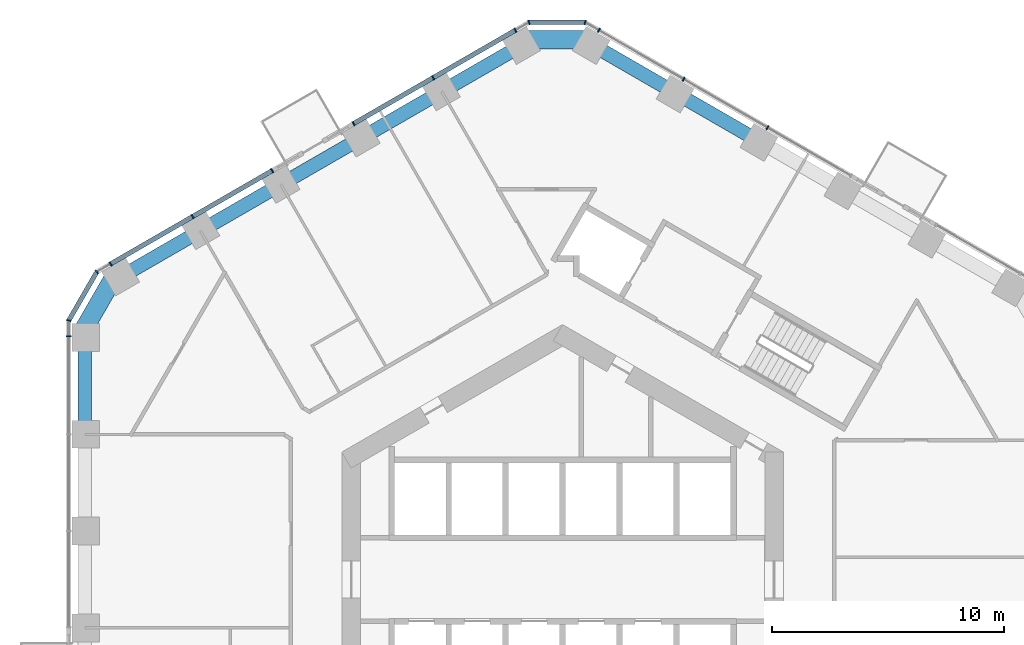
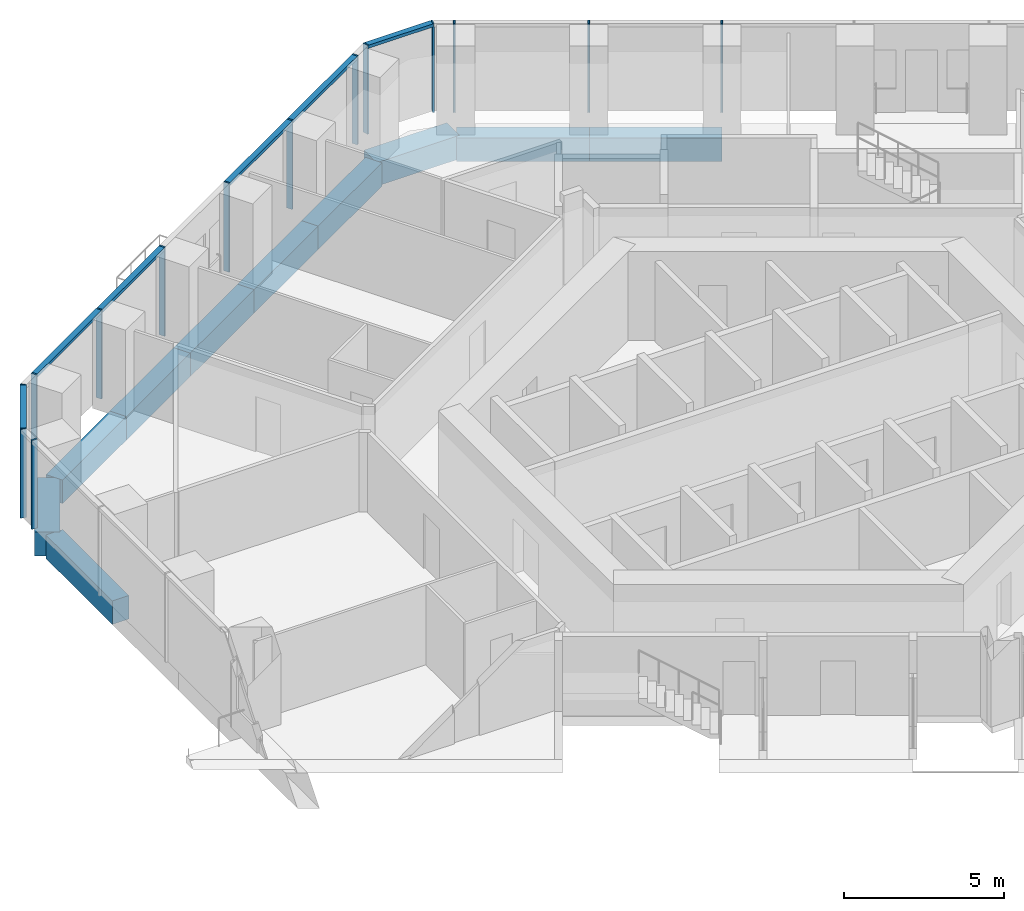
# One storey, part 5 of 19: 18 members, 10 beams, 6 elements without a shape of their own.
"""IFC4 building model written with IfcOpenShell, lengths in metres."""

from ifc_helpers import new_model, si_unit, direction, frame, origin, origin_2d, place, context, subcontext, project, spatial, rectangle, extrude, material, layer, layer_set, material_profile, profile_set, type_object, element, aggregate, save


model = new_model("IFC4")

# Units and contexts
model_context = context("Model", 3, precision=1e-05, world=origin(), true_north=direction((0.0, 1.0)))
body_context = subcontext(model_context, "Body", "Model", "MODEL_VIEW")
ifc_project = project(units=[si_unit("LENGTHUNIT", "METRE"), si_unit("AREAUNIT", "SQUARE_METRE"), si_unit("VOLUMEUNIT", "CUBIC_METRE"), si_unit("PLANEANGLEUNIT", "RADIAN"), si_unit("MASSUNIT", "GRAM", prefix="KILO")], contexts=[model_context])

# Site, building, storey
site_placement = place(None, origin())
site = spatial("IfcSite", under=ifc_project, at=site_placement, CompositionType="ELEMENT")
building_placement = place(site_placement, origin())
building = spatial("IfcBuilding", under=site, at=building_placement, Name="Ayvan Gate Tower", CompositionType="ELEMENT")
storey_placement = place(building_placement, frame((0.0, 0.0, 39.10009765625)))
storey = spatial("IfcBuildingStorey", under=building, at=storey_placement, Name="L09", CompositionType="ELEMENT", Elevation=39.10009765625)

# Beams
ifc_material_1 = material(Name="Concrete C40/50", Category="concrete")
ifc_material_profile_1 = material_profile(ifc_material_1, rectangle(XDim=0.800048828125, YDim=0.89990234375, at=origin_2d()), Name="RC 800x900")
ifc_profile_set_1 = profile_set([ifc_material_profile_1], Name="Concrete C40/50")
beam_type_1 = type_object("IfcBeamType", Name="Corner spandrel beam RC 800x900 C40/50", PredefinedType="BEAM", material=ifc_profile_set_1)
for number, where, z_axis, x_axis, name in (
    (1, (1.276611328125, 23.22509765625, -0.800048828125), (-1.0, 0.0, 0.0), (0.0, -1.0, 0.0), "SB-L09-12"),
    (2, (-19.251708984375, 13.10498046875, -0.800048828125), (-0.499990139034, -0.866031096941, 0.0), (0.866031096941, -0.499990139034, 0.0), "SB-L09-18"),
):
    element("IfcBeam", number, at=place(storey_placement, frame(where, z_axis=z_axis, x_axis=x_axis)), inside=storey, type_object=beam_type_1, Name=name, PredefinedType="BEAM", context=body_context, shape_type="SweptSolid", body=[
        extrude(rectangle(XDim=0.800048828125, YDim=0.89990234375, at=origin_2d()), origin(), (0.0, 0.0, 1.0), 3.0),
    ])
ifc_material_profile_2 = material_profile(ifc_material_1, rectangle(XDim=0.60009765625, YDim=0.89990234375, at=origin_2d()), Name="RC 600x900")
ifc_profile_set_2 = profile_set([ifc_material_profile_2], Name="Concrete C40/50")
beam_type_2 = type_object("IfcBeamType", Name="Spandrel beam RC 600x900 C40/50", PredefinedType="BEAM", material=ifc_profile_set_2)
for number, where, z_axis, x_axis, name in (
    (3, (8.479736328125, 18.84619140625, -0.800048828125), (-0.866027212972, 0.499996866383, 0.0), (-0.499996866383, -0.866027212972, 0.0), "SB-L09-10"),
    (4, (4.878173828125, 20.925537109375, -0.800048828125), (-0.866027212972, 0.499996866383, 0.0), (-0.499996866383, -0.866027212972, 0.0), "SB-L09-11"),
):
    element("IfcBeam", number, at=place(storey_placement, frame(where, z_axis=z_axis, x_axis=x_axis)), inside=storey, type_object=beam_type_2, Name=name, PredefinedType="BEAM", context=body_context, shape_type="SweptSolid", body=[
        extrude(rectangle(XDim=0.60009765625, YDim=0.89990234375, at=origin_2d()), origin(), (0.0, 0.0, 1.0), 4.15869140625),
    ])
for number, where, z_axis, x_axis, name in (
    (5, (-1.723388671875, 23.0048828125, -0.800048828125), (-0.866028199139, -0.499995158272, 0.0), (0.499995158272, -0.866028199139, 0.0), "SB-L09-13"),
    (6, (-5.19091796875, 21.0029296875, -0.800048828125), (-0.866028199139, -0.499995158272, 0.0), (0.499995158272, -0.866028199139, 0.0), "SB-L09-14"),
    (7, (-8.658447265625, 19.0009765625, -0.800048828125), (-0.866028199139, -0.499995158272, 0.0), (0.499995158272, -0.866028199139, 0.0), "SB-L09-15"),
):
    element("IfcBeam", number, at=place(storey_placement, frame(where, z_axis=z_axis, x_axis=x_axis)), inside=storey, type_object=beam_type_2, Name=name, PredefinedType="BEAM", context=body_context, shape_type="SweptSolid", body=[
        extrude(rectangle(XDim=0.60009765625, YDim=0.89990234375, at=origin_2d()), origin(), (0.0, 0.0, 1.0), 4.00390625),
    ])
beam_1_placement = place(storey_placement, frame((-12.1259765625, 16.9990234375, -0.800048828125), z_axis=(-0.866043441391, -0.499968756647, 0.0), x_axis=(0.499968756647, -0.866043441391, 0.0)))
element("IfcBeam", 8, at=beam_1_placement, inside=storey, type_object=beam_type_2, Name="SB-L09-16", PredefinedType="BEAM", context=body_context, shape_type="SweptSolid", body=[
    extrude(rectangle(XDim=0.60009765625, YDim=0.89990234375, at=origin_2d()), origin(), (0.0, 0.0, 1.0), 4.004150390625),
])
beam_2_placement = place(storey_placement, frame((-15.59375, 14.9970703125, -0.800048828125), z_axis=(-0.866028199139, -0.499995158272, 0.0), x_axis=(0.499995158272, -0.866028199139, 0.0)))
element("IfcBeam", 9, at=beam_2_placement, inside=storey, type_object=beam_type_2, Name="SB-L09-17", PredefinedType="BEAM", context=body_context, shape_type="SweptSolid", body=[
    extrude(rectangle(XDim=0.60009765625, YDim=0.89990234375, at=origin_2d()), origin(), (0.0, 0.0, 1.0), 4.00390625),
])
beam_3_placement = place(storey_placement, frame((-20.561279296875, 10.39697265625, -0.800048828125), z_axis=(0.0, -1.0, 0.0), x_axis=(1.0, 0.0, 0.0)))
element("IfcBeam", 10, at=beam_3_placement, inside=storey, type_object=beam_type_2, Name="SB-L09-19", PredefinedType="BEAM", context=body_context, shape_type="SweptSolid", body=[
    extrude(rectangle(XDim=0.60009765625, YDim=0.89990234375, at=origin_2d()), origin(), (0.0, 0.0, 1.0), 4.15869140625),
])

# Curtain wall, members
ifc_material_2 = material(Name="Bronze anodised aluminium", Category="aluminium")
ifc_layer_1 = layer(ifc_material_2, 0.199951171875)
ifc_layer_set_1 = layer_set([ifc_layer_1], Name="Bronze anodised aluminium")
curtain_wall_type_1 = type_object("IfcCurtainWallType", Name="Stick curtain wall CW-1", PredefinedType="NOTDEFINED", material=ifc_layer_set_1)
curtain_wall_1_placement = place(storey_placement, origin())
curtain_wall_1 = element("IfcCurtainWall", 11, at=curtain_wall_1_placement, inside=storey, type_object=curtain_wall_type_1, Name="Stick curtain wall CW-1 L09", PredefinedType="NOTDEFINED")
ifc_material_profile_3 = material_profile(ifc_material_2, rectangle(XDim=0.199951171875, YDim=0.06005859375, at=origin_2d()), Name="Stick curtain wall CW-1 mullion 200 x 60")
ifc_profile_set_3 = profile_set([ifc_material_profile_3], Name="Bronze anodised aluminium")
member_type_1 = type_object("IfcMemberType", Name="Stick curtain wall CW-1 mullion 200 x 60", PredefinedType="MULLION", material=ifc_profile_set_3)
member_1_placement = place(storey_placement, frame((-2.033447265625, 23.63427734375, 0.0), z_axis=(0.0, 0.0, 1.0), x_axis=(-0.5, 0.866025403784, 0.0)))
member_1 = element("IfcMember", 12, at=member_1_placement, type_object=member_type_1, Name="CW-1 mullion 1", PredefinedType="MULLION", context=body_context, shape_type="SweptSolid", body=[
    extrude(rectangle(XDim=0.199951171875, YDim=0.06005859375, at=origin_2d()), origin(), (0.0, 0.0, 1.0), 3.39990234375),
])
member_2_placement = place(storey_placement, frame((-5.56689453125, 21.59423828125, 0.0), z_axis=(0.0, 0.0, 1.0), x_axis=(-0.5, 0.866025403784, 0.0)))
member_2 = element("IfcMember", 13, at=member_2_placement, type_object=member_type_1, Name="CW-1 mullion 2", PredefinedType="MULLION", context=body_context, shape_type="SweptSolid", body=[
    extrude(rectangle(XDim=0.199951171875, YDim=0.06005859375, at=origin_2d()), origin(), (0.0, 0.0, 1.0), 3.39990234375),
])
member_3_placement = place(storey_placement, frame((-8.9912109375, 19.6171875, 0.0), z_axis=(0.0, 0.0, 1.0), x_axis=(-0.5, 0.866025403784, 0.0)))
member_3 = element("IfcMember", 14, at=member_3_placement, type_object=member_type_1, Name="CW-1 mullion 3", PredefinedType="MULLION", context=body_context, shape_type="SweptSolid", body=[
    extrude(rectangle(XDim=0.199951171875, YDim=0.06005859375, at=origin_2d()), origin(), (0.0, 0.0, 1.0), 3.39990234375),
])

curtain_wall_2_placement = place(storey_placement, origin())
curtain_wall_2 = element("IfcCurtainWall", 15, at=curtain_wall_2_placement, inside=storey, type_object=curtain_wall_type_1, Name="Stick curtain wall CW-1 L09", PredefinedType="NOTDEFINED")
member_4_placement = place(storey_placement, frame((-12.493408203125, 17.59521484375, 0.0), z_axis=(0.0, 0.0, 1.0), x_axis=(-0.5, 0.866025403784, 0.0)))
member_4 = element("IfcMember", 16, at=member_4_placement, type_object=member_type_1, Name="CW-1 mullion 1", PredefinedType="MULLION", context=body_context, shape_type="SweptSolid", body=[
    extrude(rectangle(XDim=0.199951171875, YDim=0.06005859375, at=origin_2d()), origin(), (0.0, 0.0, 1.0), 3.39990234375),
])
member_5_placement = place(storey_placement, frame((-15.917724609375, 15.6181640625, 0.0), z_axis=(0.0, 0.0, 1.0), x_axis=(-0.5, 0.866025403784, 0.0)))
member_5 = element("IfcMember", 17, at=member_5_placement, type_object=member_type_1, Name="CW-1 mullion 2", PredefinedType="MULLION", context=body_context, shape_type="SweptSolid", body=[
    extrude(rectangle(XDim=0.199951171875, YDim=0.06005859375, at=origin_2d()), origin(), (0.0, 0.0, 1.0), 3.39990234375),
])
member_6_placement = place(storey_placement, frame((-19.451171875, 13.578125, 0.0), z_axis=(0.0, 0.0, 1.0), x_axis=(-0.5, 0.866025403784, 0.0)))
member_6 = element("IfcMember", 18, at=member_6_placement, type_object=member_type_1, Name="CW-1 mullion 3", PredefinedType="MULLION", context=body_context, shape_type="SweptSolid", body=[
    extrude(rectangle(XDim=0.199951171875, YDim=0.06005859375, at=origin_2d()), origin(), (0.0, 0.0, 1.0), 3.39990234375),
])

# Curtain wall, member
curtain_wall_3_placement = place(storey_placement, origin())
curtain_wall_3 = element("IfcCurtainWall", 19, at=curtain_wall_3_placement, inside=storey, type_object=curtain_wall_type_1, Name="Stick curtain wall CW-1 L09", PredefinedType="NOTDEFINED")
member_7_placement = place(storey_placement, frame((-21.247314453125, 10.467041015625, 0.0), z_axis=(0.0, 0.0, 1.0), x_axis=(-1.0, 0.0, 0.0)))
member_7 = element("IfcMember", 20, at=member_7_placement, type_object=member_type_1, Name="CW-1 mullion 1", PredefinedType="MULLION", context=body_context, shape_type="SweptSolid", body=[
    extrude(rectangle(XDim=0.199951171875, YDim=0.06005859375, at=origin_2d()), origin(), (0.0, 0.0, 1.0), 3.39990234375),
])
aggregate(curtain_wall_3, [member_7])

# Curtain wall, members
curtain_wall_4_placement = place(storey_placement, origin())
curtain_wall_4 = element("IfcCurtainWall", 21, at=curtain_wall_4_placement, inside=storey, type_object=curtain_wall_type_1, Name="Stick curtain wall CW-1 L09", PredefinedType="NOTDEFINED")
member_8_placement = place(storey_placement, frame((8.818115234375, 19.443115234375, 0.0), z_axis=(0.0, 0.0, 1.0), x_axis=(0.5, 0.866025403784, 0.0)))
member_8 = element("IfcMember", 22, at=member_8_placement, type_object=member_type_1, Name="CW-1 mullion 2", PredefinedType="MULLION", context=body_context, shape_type="SweptSolid", body=[
    extrude(rectangle(XDim=0.199951171875, YDim=0.06005859375, at=origin_2d()), origin(), (0.0, 0.0, 1.0), 3.39990234375),
])
member_9_placement = place(storey_placement, frame((5.20849609375, 21.527099609375, 0.0), z_axis=(0.0, 0.0, 1.0), x_axis=(0.5, 0.866025403784, 0.0)))
member_9 = element("IfcMember", 23, at=member_9_placement, type_object=member_type_1, Name="CW-1 mullion 3", PredefinedType="MULLION", context=body_context, shape_type="SweptSolid", body=[
    extrude(rectangle(XDim=0.199951171875, YDim=0.06005859375, at=origin_2d()), origin(), (0.0, 0.0, 1.0), 3.39990234375),
])
member_10_placement = place(storey_placement, frame((1.558837890625, 23.63427734375, 0.0), z_axis=(0.0, 0.0, 1.0), x_axis=(0.5, 0.866025403784, 0.0)))
member_10 = element("IfcMember", 24, at=member_10_placement, type_object=member_type_1, Name="CW-1 mullion 4", PredefinedType="MULLION", context=body_context, shape_type="SweptSolid", body=[
    extrude(rectangle(XDim=0.199951171875, YDim=0.06005859375, at=origin_2d()), origin(), (0.0, 0.0, 1.0), 3.39990234375),
])
aggregate(curtain_wall_4, [member_8, member_9, member_10])

# Member
ifc_material_profile_4 = material_profile(ifc_material_2, rectangle(XDim=0.199951171875, YDim=0.1201171875, at=origin_2d()), Name="Stick curtain wall CW-1 transom 200 x 120")
ifc_profile_set_4 = profile_set([ifc_material_profile_4], Name="Bronze anodised aluminium")
member_type_2 = type_object("IfcMemberType", Name="Stick curtain wall CW-1 transom 200 x 120", PredefinedType="USERDEFINED", material=ifc_profile_set_4)
member_11_placement = place(storey_placement, frame((-2.033447265625, 23.63427734375, 3.33984375), z_axis=(-0.866024157972, -0.500002157804, 0.0), x_axis=(0.500002157804, -0.866024157972, 0.0)))
member_11 = element("IfcMember", 25, at=member_11_placement, type_object=member_type_2, Name="CW-1 transom 1", ObjectType="TRANSOM", PredefinedType="USERDEFINED", context=body_context, shape_type="SweptSolid", body=[
    extrude(rectangle(XDim=0.199951171875, YDim=0.1201171875, at=origin_2d()), origin(), (0.0, 0.0, 1.0), 8.0341796875),
])

aggregate(curtain_wall_1, [member_1, member_2, member_3, member_11])

member_12_placement = place(storey_placement, frame((-12.493408203125, 17.59521484375, 3.33984375), z_axis=(-0.866024157972, -0.500002157804, 0.0), x_axis=(0.500002157804, -0.866024157972, 0.0)))
member_12 = element("IfcMember", 26, at=member_12_placement, type_object=member_type_2, Name="CW-1 transom 1", ObjectType="TRANSOM", PredefinedType="USERDEFINED", context=body_context, shape_type="SweptSolid", body=[
    extrude(rectangle(XDim=0.199951171875, YDim=0.1201171875, at=origin_2d()), origin(), (0.0, 0.0, 1.0), 8.0341796875),
])

aggregate(curtain_wall_2, [member_4, member_5, member_6, member_12])

# Curtain wall, members
ifc_layer_2 = layer(ifc_material_2, 0.199951171875)
ifc_layer_set_2 = layer_set([ifc_layer_2], Name="Bronze anodised aluminium")
curtain_wall_type_2 = type_object("IfcCurtainWallType", Name="Stick curtain wall CW-6", PredefinedType="NOTDEFINED", material=ifc_layer_set_2)
curtain_wall_5_placement = place(storey_placement, origin())
curtain_wall_5 = element("IfcCurtainWall", 27, at=curtain_wall_5_placement, inside=storey, type_object=curtain_wall_type_2, Name="Stick curtain wall CW-6 L09", PredefinedType="NOTDEFINED")
ifc_material_profile_5 = material_profile(ifc_material_2, rectangle(XDim=0.199951171875, YDim=0.050048828125, at=origin_2d()), Name="Stick curtain wall CW-6 mullion 200 x 50")
ifc_profile_set_5 = profile_set([ifc_material_profile_5], Name="Bronze anodised aluminium")
member_type_3 = type_object("IfcMemberType", Name="Stick curtain wall CW-6 mullion 200 x 50", PredefinedType="MULLION", material=ifc_profile_set_5)
member_13_placement = place(storey_placement, frame((-20.0400390625, 13.23828125, 0.0), z_axis=(0.0, 0.0, 1.0), x_axis=(-0.707106781187, 0.707106781187, 0.0)))
member_13 = element("IfcMember", 28, at=member_13_placement, type_object=member_type_3, Name="CW-6 mullion 2", PredefinedType="MULLION", context=body_context, shape_type="SweptSolid", body=[
    extrude(rectangle(XDim=0.199951171875, YDim=0.050048828125, at=origin_2d()), origin(), (0.0, 0.0, 1.0), 3.39990234375),
])
member_14_placement = place(storey_placement, frame((-21.247314453125, 11.147216796875, 0.0), z_axis=(0.0, 0.0, 1.0), x_axis=(-0.965925826289, 0.258819045103, 0.0)))
member_14 = element("IfcMember", 29, at=member_14_placement, type_object=member_type_3, Name="CW-6 mullion 3", PredefinedType="MULLION", context=body_context, shape_type="SweptSolid", body=[
    extrude(rectangle(XDim=0.199951171875, YDim=0.050048828125, at=origin_2d()), origin(), (0.0, 0.0, 1.0), 3.39990234375),
])

curtain_wall_6_placement = place(storey_placement, origin())
curtain_wall_6 = element("IfcCurtainWall", 30, at=curtain_wall_6_placement, inside=storey, type_object=curtain_wall_type_2, Name="Stick curtain wall CW-6 L09", PredefinedType="NOTDEFINED")
member_15_placement = place(storey_placement, frame((0.969970703125, 23.97412109375, 0.0), z_axis=(0.0, 0.0, 1.0), x_axis=(0.258819045103, 0.965925826289, 0.0)))
member_15 = element("IfcMember", 31, at=member_15_placement, type_object=member_type_3, Name="CW-6 mullion 2", PredefinedType="MULLION", context=body_context, shape_type="SweptSolid", body=[
    extrude(rectangle(XDim=0.199951171875, YDim=0.050048828125, at=origin_2d()), origin(), (0.0, 0.0, 1.0), 3.39990234375),
])
member_16_placement = place(storey_placement, frame((-1.444580078125, 23.97412109375, 0.0), z_axis=(0.0, 0.0, 1.0), x_axis=(-0.258819045103, 0.965925826289, 0.0)))
member_16 = element("IfcMember", 32, at=member_16_placement, type_object=member_type_3, Name="CW-6 mullion 3", PredefinedType="MULLION", context=body_context, shape_type="SweptSolid", body=[
    extrude(rectangle(XDim=0.199951171875, YDim=0.050048828125, at=origin_2d()), origin(), (0.0, 0.0, 1.0), 3.39990234375),
])

# Member
ifc_material_profile_6 = material_profile(ifc_material_2, rectangle(XDim=0.199951171875, YDim=0.1201171875, at=origin_2d()), Name="Stick curtain wall CW-6 transom 200 x 120")
ifc_profile_set_6 = profile_set([ifc_material_profile_6], Name="Bronze anodised aluminium")
member_type_4 = type_object("IfcMemberType", Name="Stick curtain wall CW-6 transom 200 x 120", PredefinedType="USERDEFINED", material=ifc_profile_set_6)
member_17_placement = place(storey_placement, frame((-20.052490234375, 13.216552734375, 3.33984375), z_axis=(-0.499936960004, -0.866061796884, 0.0), x_axis=(0.866061796884, -0.499936960004, 0.0)))
member_17 = element("IfcMember", 33, at=member_17_placement, type_object=member_type_4, Name="CW-6 transom 2", ObjectType="TRANSOM", PredefinedType="USERDEFINED", context=body_context, shape_type="SweptSolid", body=[
    extrude(rectangle(XDim=0.199951171875, YDim=0.1201171875, at=origin_2d()), origin(), (0.0, 0.0, 1.0), 2.364501953125),
])

aggregate(curtain_wall_5, [member_13, member_14, member_17])

member_18_placement = place(storey_placement, frame((0.94482421875, 23.97412109375, 3.33984375), z_axis=(-1.0, 0.0, 0.0), x_axis=(0.0, -1.0, 0.0)))
member_18 = element("IfcMember", 34, at=member_18_placement, type_object=member_type_4, Name="CW-6 transom 2", ObjectType="TRANSOM", PredefinedType="USERDEFINED", context=body_context, shape_type="SweptSolid", body=[
    extrude(rectangle(XDim=0.199951171875, YDim=0.1201171875, at=origin_2d()), origin(), (0.0, 0.0, 1.0), 2.364501953125),
])

aggregate(curtain_wall_6, [member_15, member_16, member_18])

save(model, "model.ifc")
